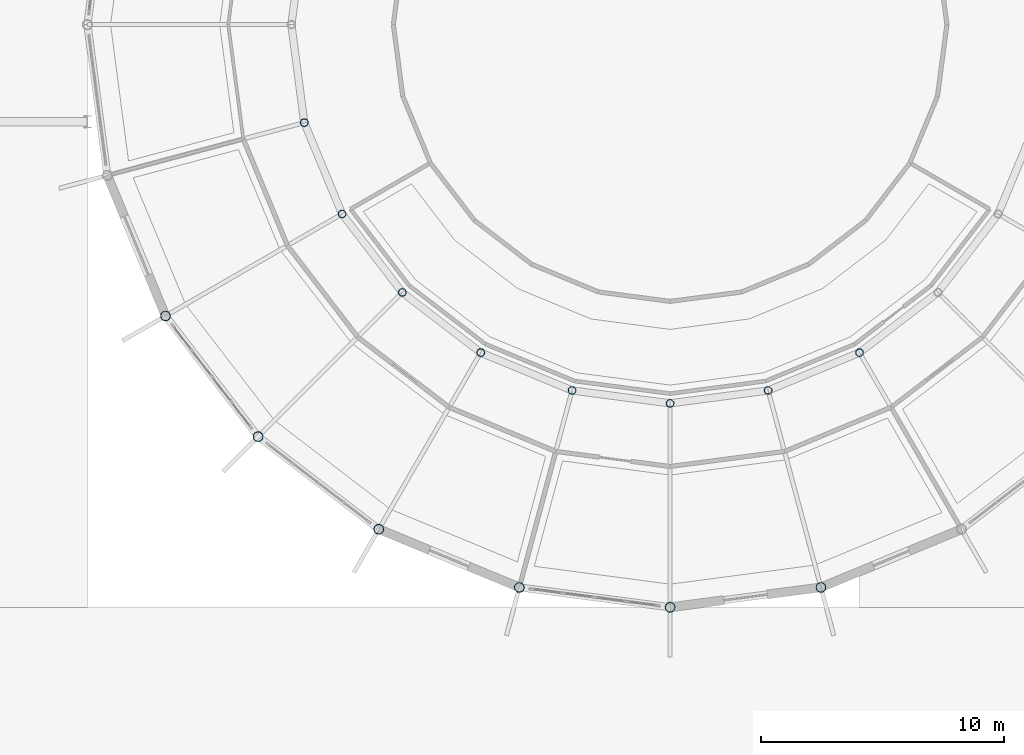
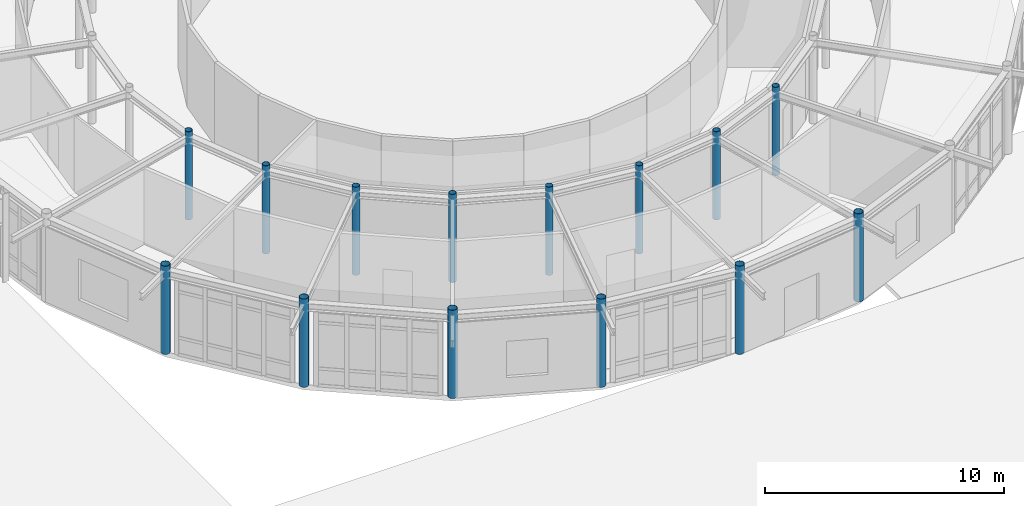
# One storey, part 9 of 101: 14 columns.
"""IFC4 building model written with IfcOpenShell, lengths in metres."""

from ifc_helpers import new_model, si_unit, derived_unit, direction, frame, origin, origin_2d, place, context, subcontext, project, spatial, hollow_circle, extrude, material, material_profile, profile_set, type_object, element, save


model = new_model("IFC4")

# Units and contexts
model_context = context("Model", 3, precision=1e-05, world=origin(), true_north=direction((0.0, 1.0)))
body_context = subcontext(model_context, "Body", "Model", "MODEL_VIEW")
ifc_project = project(units=[si_unit("LENGTHUNIT", "METRE"), si_unit("AREAUNIT", "SQUARE_METRE"), si_unit("VOLUMEUNIT", "CUBIC_METRE"), si_unit("PLANEANGLEUNIT", "RADIAN"), si_unit("MASSUNIT", "GRAM", prefix="KILO"), derived_unit("THERMALTRANSMITTANCEUNIT", [(si_unit("POWERUNIT", "WATT"), 1), (si_unit("AREAUNIT", "SQUARE_METRE"), -1), (si_unit("THERMODYNAMICTEMPERATUREUNIT", "KELVIN"), -1)])], contexts=[model_context])

# Site, building, storey
site_placement = place(None, origin())
site = spatial("IfcSite", under=ifc_project, at=site_placement, CompositionType="ELEMENT")
building_placement = place(site_placement, origin())
building = spatial("IfcBuilding", under=site, at=building_placement, Name="Yasenodar Specialist Clinic", CompositionType="ELEMENT")
storey_placement = place(building_placement, origin())
storey = spatial("IfcBuildingStorey", under=building, at=storey_placement, Name="L00", CompositionType="ELEMENT", Elevation=0.0)

# Columns
ifc_material = material(Name="Steel S355", Category="steel")
ifc_material_profile_1 = material_profile(ifc_material, hollow_circle(Radius=0.161865234375, WallThickness=0.01611328125, at=origin_2d()), Name="CHS 323.9x16")
ifc_profile_set_1 = profile_set([ifc_material_profile_1], Name="Steel S355")
column_type_1 = type_object("IfcColumnType", Name="COL-ST-CHS324", PredefinedType="COLUMN", material=ifc_profile_set_1)
for number, where, z_axis, x_axis, name in (
    (1, (65.931640625, 54.762451171875, 0.0), (0.0, 0.0, 1.0), (1.0, 0.0, 0.0), "L00 Drum V1 Inner Column 14"),
    (2, (67.489990234375, 51.0, 0.0), (0.0, 0.0, 1.0), (1.0, 0.0, 0.0), "L00 Drum V1 Inner Column 15"),
    (3, (69.968994140625, 47.76904296875, 0.0), (0.0, 0.0, 1.0), (1.0, 0.0, 0.0), "L00 Drum V1 Inner Column 16"),
    (4, (73.199951171875, 45.2900390625, 0.0), (0.0, 0.0, 1.0), (1.0, 0.0, 0.0), "L00 Drum V1 Inner Column 17"),
    (5, (76.96240234375, 43.731689453125, 0.0), (0.0, 0.0, 1.0), (1.0, 0.0, 0.0), "L00 Drum V1 Inner Column 18"),
    (6, (81.0, 43.199951171875, 0.0), (0.0, 0.0, 1.0), (1.0, 0.0, 0.0), "L00 Drum V1 Inner Column 19"),
    (7, (85.03759765625, 43.731689453125, 0.0), (0.0, 0.0, 1.0), (1.0, 0.0, 0.0), "L00 Drum V1 Inner Column 20"),
    (8, (88.800048828125, 45.2900390625, 0.0), (0.0, 0.0, 1.0), (1.0, 0.0, 0.0), "L00 Drum V1 Inner Column 21"),
):
    element("IfcColumn", number, at=place(storey_placement, frame(where, z_axis=z_axis, x_axis=x_axis)), inside=storey, type_object=column_type_1, Name=name, PredefinedType="COLUMN", context=body_context, shape_type="SweptSolid", body=[
        extrude(hollow_circle(Radius=0.161865234375, WallThickness=0.01611328125, at=origin_2d()), origin(), (0.0, 0.0, 1.0), 4.5),
    ])
ifc_material_profile_2 = material_profile(ifc_material, hollow_circle(Radius=0.203125, WallThickness=0.01611328125, at=origin_2d()), Name="CHS 406.4x16")
ifc_profile_set_2 = profile_set([ifc_material_profile_2], Name="Steel S355")
column_type_2 = type_object("IfcColumnType", Name="COL-ST-CHS406", PredefinedType="COLUMN", material=ifc_profile_set_2)
for number, where, z_axis, x_axis, name in (
    (9, (60.21533203125, 46.800048828125, 0.0), (0.0, 0.0, 1.0), (1.0, 0.0, 0.0), "L00 Drum V1 Outer Column 15"),
    (10, (64.029296875, 41.829345703125, 0.0), (0.0, 0.0, 1.0), (1.0, 0.0, 0.0), "L00 Drum V1 Outer Column 16"),
    (11, (69.0, 38.015380859375, 0.0), (0.0, 0.0, 1.0), (1.0, 0.0, 0.0), "L00 Drum V1 Outer Column 17"),
    (12, (74.788330078125, 35.617919921875, 0.0), (0.0, 0.0, 1.0), (1.0, 0.0, 0.0), "L00 Drum V1 Outer Column 18"),
    (13, (81.0, 34.800048828125, 0.0), (0.0, 0.0, 1.0), (1.0, 0.0, 0.0), "L00 Drum V1 Outer Column 19"),
    (14, (87.211669921875, 35.617919921875, 0.0), (0.0, 0.0, 1.0), (1.0, 0.0, 0.0), "L00 Drum V1 Outer Column 20"),
):
    element("IfcColumn", number, at=place(storey_placement, frame(where, z_axis=z_axis, x_axis=x_axis)), inside=storey, type_object=column_type_2, Name=name, PredefinedType="COLUMN", context=body_context, shape_type="SweptSolid", body=[
        extrude(hollow_circle(Radius=0.203125, WallThickness=0.01611328125, at=origin_2d()), origin(), (0.0, 0.0, 1.0), 4.5),
    ])

save(model, "model.ifc")
